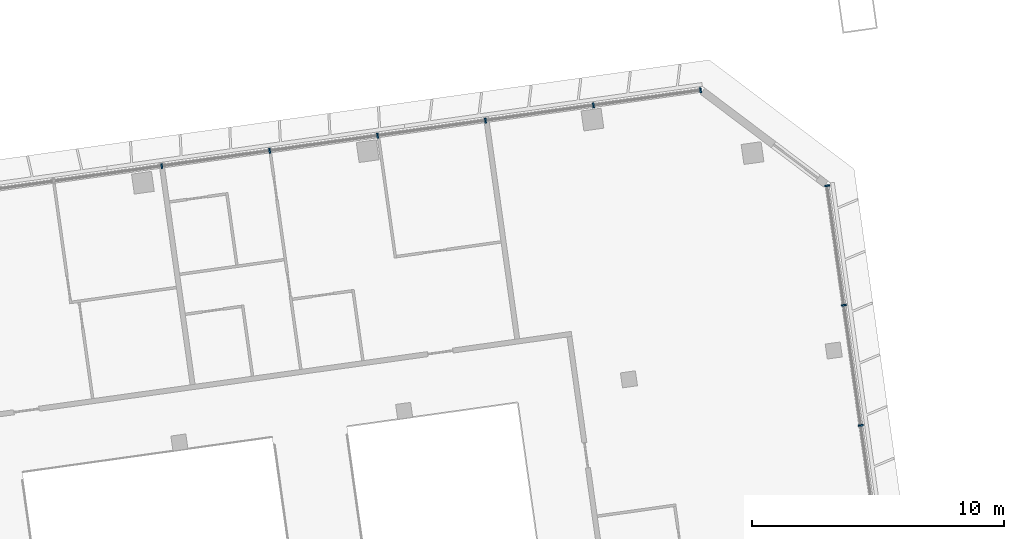
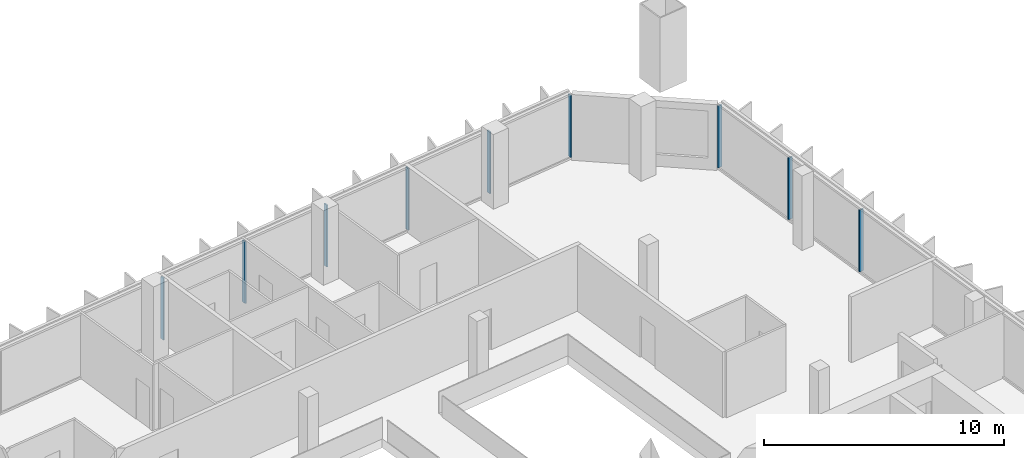
# One storey, part 11 of 23: 9 members, 2 elements without a shape of their own.
"""IFC4 building model written with IfcOpenShell, lengths in metres."""

from ifc_helpers import new_model, si_unit, direction, frame, origin, origin_2d, place, context, subcontext, project, spatial, rectangle, extrude, material, material_profile, profile_set, type_object, element, aggregate, save


model = new_model("IFC4")

# Units and contexts
model_context = context("Model", 3, precision=1e-05, world=origin(), true_north=direction((0.0, 1.0)))
body_context = subcontext(model_context, "Body", "Model", "MODEL_VIEW")
ifc_project = project(units=[si_unit("LENGTHUNIT", "METRE"), si_unit("AREAUNIT", "SQUARE_METRE"), si_unit("VOLUMEUNIT", "CUBIC_METRE"), si_unit("PLANEANGLEUNIT", "RADIAN"), si_unit("MASSUNIT", "GRAM", prefix="KILO")], contexts=[model_context])

# Site, building, storey
site_placement = place(None, origin())
site = spatial("IfcSite", under=ifc_project, at=site_placement, CompositionType="ELEMENT")
building_placement = place(site_placement, origin())
building = spatial("IfcBuilding", under=site, at=building_placement, Name="Mirante Cascada Hotel Towers", CompositionType="ELEMENT")
storey_placement = place(building_placement, frame((0.0, 0.0, 199.2)))
storey = spatial("IfcBuildingStorey", under=building, at=storey_placement, Name="L47", CompositionType="ELEMENT", Elevation=199.2)

# Curtain wall, members
ifc_material_1 = material(Name="Aluminium mullion and transom frame with clear laminated glass", Category="aluminium")
curtain_wall_type_1 = type_object("IfcCurtainWallType", Name="Ribbon curtain wall ECW1", PredefinedType="NOTDEFINED", material=ifc_material_1)
curtain_wall_1_placement = place(storey_placement, origin())
curtain_wall_1 = element("IfcCurtainWall", 1, at=curtain_wall_1_placement, inside=storey, type_object=curtain_wall_type_1, Name="Front ribbon wall T2 L47", PredefinedType="NOTDEFINED")
ifc_material_2 = material(Name="Anodised aluminium extrusion", Category="aluminium")
ifc_material_profile_1 = material_profile(ifc_material_2, rectangle(XDim=0.2, YDim=0.065, at=origin_2d()), Name="ECW1 MULLION 65x200")
ifc_profile_set_1 = profile_set([ifc_material_profile_1], Name="Anodised aluminium extrusion")
member_type_1 = type_object("IfcMemberType", Name="ECW1 mullion 65x200", PredefinedType="MULLION", material=ifc_profile_set_1)
member_1_placement = place(storey_placement, frame((76.3011, 23.5425, 0.1), z_axis=(0.0, 0.0, 1.0), x_axis=(0.1391731, -0.9902681, 0.0)))
member_1 = element("IfcMember", 2, at=member_1_placement, type_object=member_type_1, Name="ECW1 mullion 1", PredefinedType="MULLION", context=body_context, shape_type="SweptSolid", body=[
    extrude(rectangle(XDim=0.2, YDim=0.065, at=origin_2d()), origin(), (0.0, 0.0, 1.0), 3.15),
])
member_2_placement = place(storey_placement, frame((72.0542, 22.9456, 0.1), z_axis=(0.0, 0.0, 1.0), x_axis=(0.1391731, -0.9902681, 0.0)))
member_2 = element("IfcMember", 3, at=member_2_placement, type_object=member_type_1, Name="ECW1 mullion 2", PredefinedType="MULLION", context=body_context, shape_type="SweptSolid", body=[
    extrude(rectangle(XDim=0.2, YDim=0.065, at=origin_2d()), origin(), (0.0, 0.0, 1.0), 3.15),
])
member_3_placement = place(storey_placement, frame((67.775, 22.3442, 0.1), z_axis=(0.0, 0.0, 1.0), x_axis=(0.1391731, -0.9902681, 0.0)))
member_3 = element("IfcMember", 4, at=member_3_placement, type_object=member_type_1, Name="ECW1 mullion 3", PredefinedType="MULLION", context=body_context, shape_type="SweptSolid", body=[
    extrude(rectangle(XDim=0.2, YDim=0.065, at=origin_2d()), origin(), (0.0, 0.0, 1.0), 3.15),
])
member_4_placement = place(storey_placement, frame((63.4959, 21.7428, 0.1), z_axis=(0.0, 0.0, 1.0), x_axis=(0.1391731, -0.9902681, 0.0)))
member_4 = element("IfcMember", 5, at=member_4_placement, type_object=member_type_1, Name="ECW1 mullion 4", PredefinedType="MULLION", context=body_context, shape_type="SweptSolid", body=[
    extrude(rectangle(XDim=0.2, YDim=0.065, at=origin_2d()), origin(), (0.0, 0.0, 1.0), 3.15),
])
member_5_placement = place(storey_placement, frame((59.2168, 21.1414, 0.1), z_axis=(0.0, 0.0, 1.0), x_axis=(0.1391731, -0.9902681, 0.0)))
member_5 = element("IfcMember", 6, at=member_5_placement, type_object=member_type_1, Name="ECW1 mullion 5", PredefinedType="MULLION", context=body_context, shape_type="SweptSolid", body=[
    extrude(rectangle(XDim=0.2, YDim=0.065, at=origin_2d()), origin(), (0.0, 0.0, 1.0), 3.15),
])
member_6_placement = place(storey_placement, frame((54.9376, 20.54, 0.1), z_axis=(0.0, 0.0, 1.0), x_axis=(0.1391731, -0.9902681, 0.0)))
member_6 = element("IfcMember", 7, at=member_6_placement, type_object=member_type_1, Name="ECW1 mullion 6", PredefinedType="MULLION", context=body_context, shape_type="SweptSolid", body=[
    extrude(rectangle(XDim=0.2, YDim=0.065, at=origin_2d()), origin(), (0.0, 0.0, 1.0), 3.15),
])
aggregate(curtain_wall_1, [member_1, member_2, member_3, member_4, member_5, member_6])

ifc_material_3 = material(Name="Aluminium mullion and transom frame with clear laminated glass", Category="aluminium")
curtain_wall_type_2 = type_object("IfcCurtainWallType", Name="End ribbon curtain wall ECW2", PredefinedType="NOTDEFINED", material=ifc_material_3)
curtain_wall_2_placement = place(storey_placement, origin())
curtain_wall_2 = element("IfcCurtainWall", 8, at=curtain_wall_2_placement, inside=storey, type_object=curtain_wall_type_2, Name="Outer end wall T2 L47", PredefinedType="NOTDEFINED")
ifc_material_4 = material(Name="Anodised aluminium extrusion", Category="aluminium")
ifc_material_profile_2 = material_profile(ifc_material_4, rectangle(XDim=0.2, YDim=0.065, at=origin_2d()), Name="ECW2 MULLION 65x200")
ifc_profile_set_2 = profile_set([ifc_material_profile_2], Name="Anodised aluminium extrusion")
member_type_2 = type_object("IfcMemberType", Name="ECW2 mullion 65x200", PredefinedType="MULLION", material=ifc_profile_set_2)
member_7_placement = place(storey_placement, frame((82.6561, 10.2603, 0.1), z_axis=(0.0, 0.0, 1.0), x_axis=(-0.9902681, -0.1391731, 0.0)))
member_7 = element("IfcMember", 9, at=member_7_placement, type_object=member_type_2, Name="ECW2 mullion 5", PredefinedType="MULLION", context=body_context, shape_type="SweptSolid", body=[
    extrude(rectangle(XDim=0.2, YDim=0.065, at=origin_2d()), origin(), (0.0, 0.0, 1.0), 3.15),
])
member_8_placement = place(storey_placement, frame((81.9864, 15.026, 0.1), z_axis=(0.0, 0.0, 1.0), x_axis=(-0.9902681, -0.1391731, 0.0)))
member_8 = element("IfcMember", 10, at=member_8_placement, type_object=member_type_2, Name="ECW2 mullion 6", PredefinedType="MULLION", context=body_context, shape_type="SweptSolid", body=[
    extrude(rectangle(XDim=0.2, YDim=0.065, at=origin_2d()), origin(), (0.0, 0.0, 1.0), 3.15),
])
member_9_placement = place(storey_placement, frame((81.3211, 19.7596, 0.1), z_axis=(0.0, 0.0, 1.0), x_axis=(-0.9902681, -0.1391731, 0.0)))
member_9 = element("IfcMember", 11, at=member_9_placement, type_object=member_type_2, Name="ECW2 mullion 7", PredefinedType="MULLION", context=body_context, shape_type="SweptSolid", body=[
    extrude(rectangle(XDim=0.2, YDim=0.065, at=origin_2d()), origin(), (0.0, 0.0, 1.0), 3.15),
])
aggregate(curtain_wall_2, [member_7, member_8, member_9])

save(model, "model.ifc")
